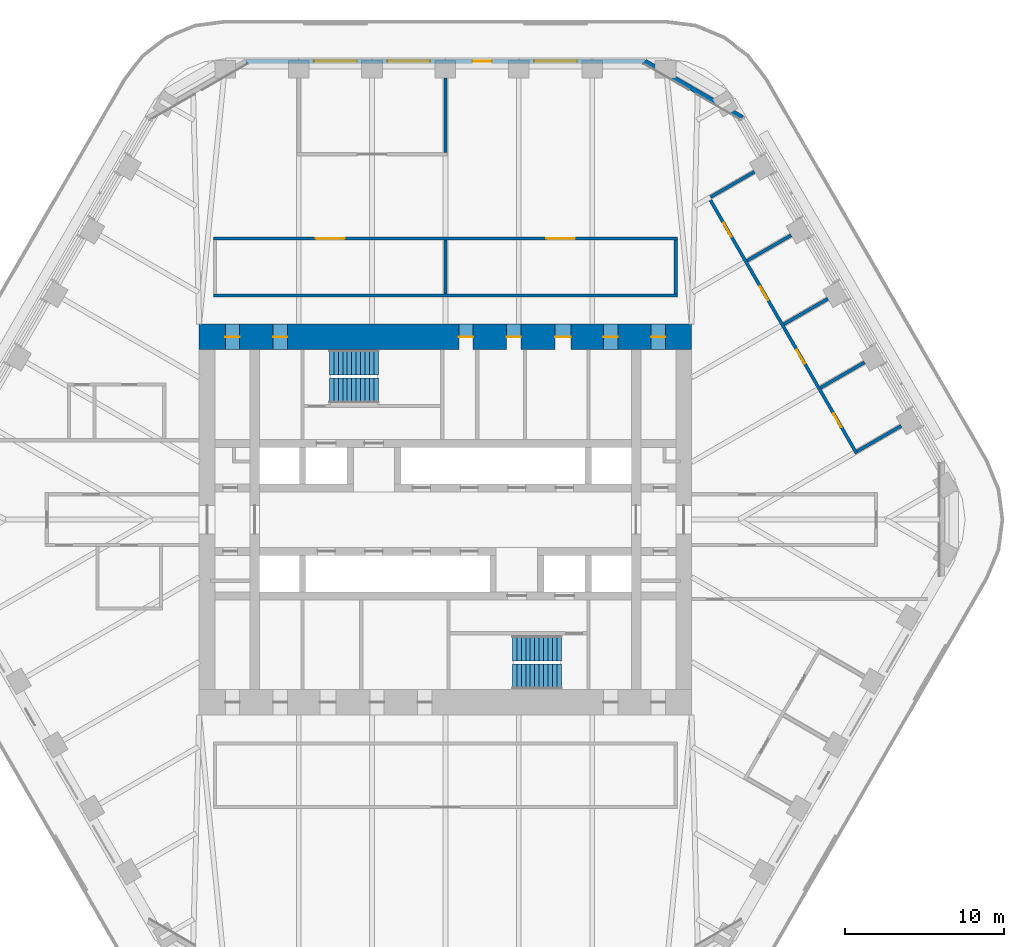
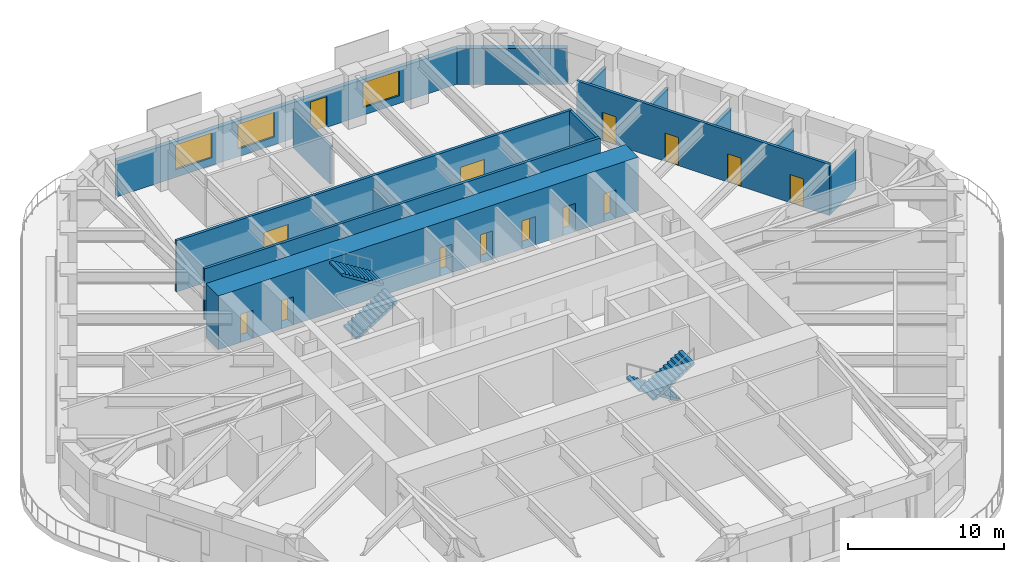
# One storey, part 17 of 20: 14 doors, 14 walls, 4 stair flights, 3 windows, 17 openings, 2 elements without a shape of their own.
"""IFC4 building model written with IfcOpenShell, lengths in metres."""

from ifc_helpers import new_model, si_unit, direction, frame, frame_2d, origin, place, context, subcontext, project, spatial, polyline, rectangle, outline, extrude, material, layer, layer_set, type_object, element, fill, aggregate, save


model = new_model("IFC4")

# Units and contexts
model_context = context("Model", 3, precision=1e-05, world=origin(), true_north=direction((0.0, 1.0)))
body_context = subcontext(model_context, "Body", "Model", "MODEL_VIEW")
ifc_project = project(units=[si_unit("LENGTHUNIT", "METRE"), si_unit("AREAUNIT", "SQUARE_METRE"), si_unit("VOLUMEUNIT", "CUBIC_METRE"), si_unit("PLANEANGLEUNIT", "RADIAN"), si_unit("MASSUNIT", "GRAM", prefix="KILO")], contexts=[model_context])

# Site, building, storey
site_placement = place(None, origin())
site = spatial("IfcSite", under=ifc_project, at=site_placement, CompositionType="ELEMENT")
building_placement = place(site_placement, origin())
building = spatial("IfcBuilding", under=site, at=building_placement, Name="Tarfa Lantern Tower", CompositionType="ELEMENT")
storey_placement = place(building_placement, frame((0.0, 0.0, 236.5)))
storey = spatial("IfcBuildingStorey", under=building, at=storey_placement, Name="L53", CompositionType="ELEMENT", Elevation=236.5)

# Wall
ifc_material_1 = material(Name="Limestone cladding on blockwork", Category="masonry")
ifc_layer_1 = layer(ifc_material_1, 0.300048828125)
ifc_layer_set_1 = layer_set([ifc_layer_1], Name="EW1 STONE-CLAD WALL 300")
wall_type_1 = type_object("IfcWallType", Name="EW1 STONE-CLAD WALL 300", PredefinedType="SOLIDWALL", material=ifc_layer_set_1)
wall_1_placement = place(storey_placement, frame((18.70654296875, 25.299072265625, 0.0), z_axis=(0.0, 0.0, 1.0), x_axis=(-0.866010973379, 0.500024993363, 0.0)))
element("IfcWall", 1, at=wall_1_placement, inside=storey, type_object=wall_type_1, Name="Garden wall NE-N", PredefinedType="SOLIDWALL", context=body_context, shape_type="SweptSolid", body=[
    extrude(rectangle(XDim=7.101806640625, YDim=0.300048828125, at=frame_2d((3.55078125, 0.0))), origin(), (0.0, 0.0, 1.0), 2.800048828125),
])

# Wall, openings, door, windows
wall_2_placement = place(storey_placement, frame((12.556396484375, 28.85009765625, 0.0), z_axis=(0.0, 0.0, 1.0), x_axis=(-1.0, 0.0, 0.0)))
wall_2 = element("IfcWall", 2, at=wall_2_placement, inside=storey, type_object=wall_type_1, Name="Stone wall N", PredefinedType="SOLIDWALL", context=body_context, shape_type="SweptSolid", body=[
    extrude(rectangle(XDim=25.11279296875, YDim=0.300048828125, at=frame_2d((12.556396484375, 0.0))), origin(), (0.0, 0.0, 1.0), 2.800048828125),
])
opening_1_placement = place(wall_2_placement, frame((4.2783203125, 0.0, 0.60009765625)))
opening_1 = element("IfcOpeningElement", 3, at=opening_1_placement, cuts=wall_2, Name="Opening W14", PredefinedType="OPENING", context=body_context, shape_type="SweptSolid", body=[
    extrude(rectangle(XDim=2.699951171875, YDim=1.949951171875, at=frame_2d((1.35009765625, 0.97509765625))), frame((0.0, 0.159912109375, 0.0), z_axis=(0.0, -1.0, 0.0), x_axis=(1.0, 0.0, 0.0)), (0.0, 0.0, 1.0), 0.320068359375),
])
opening_2_placement = place(wall_2_placement, frame((9.64697265625, 0.0, 0.0)))
opening_2 = element("IfcOpeningElement", 4, at=opening_2_placement, cuts=wall_2, Name="Opening D47", PredefinedType="OPENING", context=body_context, shape_type="SweptSolid", body=[
    extrude(rectangle(XDim=1.199951171875, YDim=2.39990234375, at=frame_2d((0.60009765625, 1.199951171875))), frame((0.0, 0.159912109375, 0.0), z_axis=(0.0, -1.0, 0.0), x_axis=(1.0, 0.0, 0.0)), (0.0, 0.0, 1.0), 0.320068359375),
])
opening_3_placement = place(wall_2_placement, frame((13.515869140625, 0.0, 0.60009765625)))
opening_3 = element("IfcOpeningElement", 5, at=opening_3_placement, cuts=wall_2, Name="Opening W14", PredefinedType="OPENING", context=body_context, shape_type="SweptSolid", body=[
    extrude(rectangle(XDim=2.699951171875, YDim=1.949951171875, at=frame_2d((1.35009765625, 0.97509765625))), frame((0.0, 0.159912109375, 0.0), z_axis=(0.0, -1.0, 0.0), x_axis=(1.0, 0.0, 0.0)), (0.0, 0.0, 1.0), 0.320068359375),
])
opening_4_placement = place(wall_2_placement, frame((18.134521484375, 0.0, 0.60009765625)))
opening_4 = element("IfcOpeningElement", 6, at=opening_4_placement, cuts=wall_2, Name="Opening W14", PredefinedType="OPENING", context=body_context, shape_type="SweptSolid", body=[
    extrude(rectangle(XDim=2.699951171875, YDim=1.949951171875, at=frame_2d((1.35009765625, 0.97509765625))), frame((0.0, 0.159912109375, 0.0), z_axis=(0.0, -1.0, 0.0), x_axis=(1.0, 0.0, 0.0)), (0.0, 0.0, 1.0), 0.320068359375),
])
ifc_material_2 = material(Name="Aluminium framed glazed door", Category="aluminium")
door_type_1 = type_object("IfcDoorType", Name="BE3 BALCONY DOOR 1200x2400", OperationType="SINGLE_SWING_RIGHT", PredefinedType="DOOR", material=ifc_material_2)
door_1_placement = place(opening_2_placement, origin())
door_1 = element("IfcDoor", 7, at=door_1_placement, inside=storey, type_object=door_type_1, Name="Balcony door N", OperationType="SINGLE_SWING_LEFT", OverallHeight=2.39990234375, OverallWidth=1.199951171875, PredefinedType="DOOR", context=body_context, shape_type="SweptSolid", body=[
    extrude(rectangle(XDim=1.199951171875, YDim=2.39990234375, at=frame_2d((0.60009765625, 1.199951171875))), frame((0.0, 0.02490234375, 0.0), z_axis=(0.0, -1.0, 0.0), x_axis=(1.0, 0.0, 0.0)), (0.0, 0.0, 1.0), 0.050048828125),
])
fill(opening_2, door_1)
ifc_material_3 = material(Name="Aluminium frame, double glazed", Category="aluminium")
window_type = type_object("IfcWindowType", Name="W14 FULL-HEIGHT GLAZING 2700x1950", PartitioningType="SINGLE_PANEL", PredefinedType="WINDOW", material=ifc_material_3)
window_1_placement = place(opening_1_placement, origin())
window_1 = element("IfcWindow", 8, at=window_1_placement, inside=storey, type_object=window_type, Name="Window N 2", OverallHeight=1.949951171875, OverallWidth=2.699951171875, PartitioningType="SINGLE_PANEL", PredefinedType="WINDOW", context=body_context, shape_type="SweptSolid", body=[
    extrude(rectangle(XDim=2.699951171875, YDim=1.949951171875, at=frame_2d((1.35009765625, 0.97509765625))), frame((0.0, 0.030029296875, 0.0), z_axis=(0.0, -1.0, 0.0), x_axis=(1.0, 0.0, 0.0)), (0.0, 0.0, 1.0), 0.06005859375),
])
fill(opening_1, window_1)
window_2_placement = place(opening_3_placement, origin())
window_2 = element("IfcWindow", 9, at=window_2_placement, inside=storey, type_object=window_type, Name="Window N 4", OverallHeight=1.949951171875, OverallWidth=2.699951171875, PartitioningType="SINGLE_PANEL", PredefinedType="WINDOW", context=body_context, shape_type="SweptSolid", body=[
    extrude(rectangle(XDim=2.699951171875, YDim=1.949951171875, at=frame_2d((1.35009765625, 0.97509765625))), frame((0.0, 0.030029296875, 0.0), z_axis=(0.0, -1.0, 0.0), x_axis=(1.0, 0.0, 0.0)), (0.0, 0.0, 1.0), 0.06005859375),
])
fill(opening_3, window_2)
window_3_placement = place(opening_4_placement, origin())
window_3 = element("IfcWindow", 10, at=window_3_placement, inside=storey, type_object=window_type, Name="Window N 5", OverallHeight=1.949951171875, OverallWidth=2.699951171875, PartitioningType="SINGLE_PANEL", PredefinedType="WINDOW", context=body_context, shape_type="SweptSolid", body=[
    extrude(rectangle(XDim=2.699951171875, YDim=1.949951171875, at=frame_2d((1.35009765625, 0.97509765625))), frame((0.0, 0.030029296875, 0.0), z_axis=(0.0, -1.0, 0.0), x_axis=(1.0, 0.0, 0.0)), (0.0, 0.0, 1.0), 0.06005859375),
])
fill(opening_4, window_3)

# Wall
ifc_material_4 = material(Name="Gypsum board on steel studs", Category="steel")
ifc_layer_2 = layer(ifc_material_4, 0.2099609375)
ifc_layer_set_2 = layer_set([ifc_layer_2], Name="IW2 ACOUSTIC PARTITION 200")
wall_type_2 = type_object("IfcWallType", Name="IW2 ACOUSTIC PARTITION 200", PredefinedType="PARTITIONING", material=ifc_layer_set_2)
wall_3_placement = place(storey_placement, frame((-14.60009765625, 14.10009765625, 0.0), z_axis=(0.0, 0.0, 1.0), x_axis=(1.0, 0.0, 0.0)))
element("IfcWall", 11, at=wall_3_placement, inside=storey, type_object=wall_type_2, Name="Partition", PredefinedType="PARTITIONING", context=body_context, shape_type="SweptSolid", body=[
    extrude(rectangle(XDim=29.2001953125, YDim=0.199951171875, at=frame_2d((14.60009765625, 0.0))), origin(), (0.0, 0.0, 1.0), 4.0),
])

# Wall, openings, doors
wall_4_placement = place(storey_placement, frame((-14.60009765625, 17.699951171875, 0.0), z_axis=(0.0, 0.0, 1.0), x_axis=(1.0, 0.0, 0.0)))
wall_4 = element("IfcWall", 12, at=wall_4_placement, inside=storey, type_object=wall_type_2, Name="Partition", PredefinedType="PARTITIONING", context=body_context, shape_type="SweptSolid", body=[
    extrude(rectangle(XDim=29.2001953125, YDim=0.199951171875, at=frame_2d((14.60009765625, 0.0))), origin(), (0.0, 0.0, 1.0), 4.0),
])
opening_5_placement = place(wall_4_placement, frame((6.449951171875, 0.0, 0.0)))
opening_5 = element("IfcOpeningElement", 13, at=opening_5_placement, cuts=wall_4, Name="Opening D35", PredefinedType="OPENING", context=body_context, shape_type="SweptSolid", body=[
    extrude(rectangle(XDim=1.800048828125, YDim=2.39990234375, at=frame_2d((0.89990234375, 1.199951171875))), frame((0.0, 0.10986328125, 0.0), z_axis=(0.0, -1.0, 0.0), x_axis=(1.0, 0.0, 0.0)), (0.0, 0.0, 1.0), 0.219970703125),
])
opening_6_placement = place(wall_4_placement, frame((20.949951171875, 0.0, 0.0)))
opening_6 = element("IfcOpeningElement", 14, at=opening_6_placement, cuts=wall_4, Name="Opening D36", PredefinedType="OPENING", context=body_context, shape_type="SweptSolid", body=[
    extrude(rectangle(XDim=1.800048828125, YDim=2.39990234375, at=frame_2d((0.89990234375, 1.199951171875))), frame((0.0, 0.10986328125, 0.0), z_axis=(0.0, -1.0, 0.0), x_axis=(1.0, 0.0, 0.0)), (0.0, 0.0, 1.0), 0.219970703125),
])
ifc_material_5 = material(Name="Timber door", Category="wood")
door_type_2 = type_object("IfcDoorType", Name="DR2 ROOM DOOR 1800x2400", OperationType="DOUBLE_DOOR_SINGLE_SWING", PredefinedType="DOOR", material=ifc_material_5)
door_2_placement = place(opening_5_placement, frame((1.800048828125, 0.0, 0.0), z_axis=(0.0, 0.0, 1.0), x_axis=(-1.0, 0.0, 0.0)))
door_2 = element("IfcDoor", 15, at=door_2_placement, inside=storey, type_object=door_type_2, Name="Interview room door", OperationType="DOUBLE_DOOR_SINGLE_SWING", OverallHeight=2.39990234375, OverallWidth=1.800048828125, PredefinedType="DOOR", context=body_context, shape_type="SweptSolid", body=[
    extrude(rectangle(XDim=1.800048828125, YDim=2.39990234375, at=frame_2d((0.89990234375, 1.199951171875))), frame((0.0, 0.02490234375, 0.0), z_axis=(0.0, -1.0, 0.0), x_axis=(1.0, 0.0, 0.0)), (0.0, 0.0, 1.0), 0.050048828125),
])
fill(opening_5, door_2)
door_3_placement = place(opening_6_placement, frame((1.800048828125, 0.0, 0.0), z_axis=(0.0, 0.0, 1.0), x_axis=(-1.0, 0.0, 0.0)))
door_3 = element("IfcDoor", 16, at=door_3_placement, inside=storey, type_object=door_type_2, Name="Interview room door", OperationType="DOUBLE_DOOR_SINGLE_SWING", OverallHeight=2.39990234375, OverallWidth=1.800048828125, PredefinedType="DOOR", context=body_context, shape_type="SweptSolid", body=[
    extrude(rectangle(XDim=1.800048828125, YDim=2.39990234375, at=frame_2d((0.89990234375, 1.199951171875))), frame((0.0, 0.02490234375, 0.0), z_axis=(0.0, -1.0, 0.0), x_axis=(1.0, 0.0, 0.0)), (0.0, 0.0, 1.0), 0.050048828125),
])
fill(opening_6, door_3)

# Walls
wall_5_placement = place(storey_placement, frame((0.0, 14.199951171875, 0.0), z_axis=(0.0, 0.0, 1.0), x_axis=(0.0, 1.0, 0.0)))
element("IfcWall", 17, at=wall_5_placement, inside=storey, type_object=wall_type_2, Name="Partition", PredefinedType="PARTITIONING", context=body_context, shape_type="SweptSolid", body=[
    extrude(rectangle(XDim=3.400146484375, YDim=0.199951171875, at=frame_2d((1.7001953125, 0.0))), origin(), (0.0, 0.0, 1.0), 2.991943359375),
])
wall_6_placement = place(storey_placement, frame((14.5, 14.199951171875, 0.0), z_axis=(0.0, 0.0, 1.0), x_axis=(0.0, 1.0, 0.0)))
element("IfcWall", 18, at=wall_6_placement, inside=storey, type_object=wall_type_2, Name="Partition", PredefinedType="PARTITIONING", context=body_context, shape_type="SweptSolid", body=[
    extrude(rectangle(XDim=3.400146484375, YDim=0.199951171875, at=frame_2d((1.7001953125, 0.0))), origin(), (0.0, 0.0, 1.0), 4.0),
])
wall_7_placement = place(storey_placement, frame((0.0, 23.10009765625, 0.0), z_axis=(0.0, 0.0, 1.0), x_axis=(0.0, 1.0, 0.0)))
element("IfcWall", 19, at=wall_7_placement, inside=storey, type_object=wall_type_2, Name="Partition", PredefinedType="PARTITIONING", context=body_context, shape_type="SweptSolid", body=[
    extrude(rectangle(XDim=4.699951171875, YDim=0.199951171875, at=frame_2d((2.35009765625, 0.0))), origin(), (0.0, 0.0, 1.0), 2.991943359375),
])

# Wall, openings, doors
wall_8_placement = place(storey_placement, frame((25.886474609375, 4.163330078125, 0.0), z_axis=(0.0, 0.0, 1.0), x_axis=(-0.499998569178, 0.866026229868, 0.0)))
wall_8 = element("IfcWall", 20, at=wall_8_placement, inside=storey, type_object=wall_type_2, Name="Partition", PredefinedType="PARTITIONING", context=body_context, shape_type="SweptSolid", body=[
    extrude(rectangle(XDim=18.67529296875, YDim=0.199951171875, at=frame_2d((9.337646484375, 0.0))), origin(), (0.0, 0.0, 1.0), 4.0),
])
opening_7_placement = place(wall_8_placement, frame((1.909423828125, 0.0, 0.0)))
opening_7 = element("IfcOpeningElement", 21, at=opening_7_placement, cuts=wall_8, Name="Opening D28", PredefinedType="OPENING", context=body_context, shape_type="SweptSolid", body=[
    extrude(rectangle(XDim=1.0, YDim=2.199951171875, at=frame_2d((0.5, 1.10009765625))), frame((0.0, 0.10986328125, 0.0), z_axis=(0.0, -1.0, 0.0), x_axis=(1.0, 0.0, 0.0)), (0.0, 0.0, 1.0), 0.219970703125),
])
opening_8_placement = place(wall_8_placement, frame((6.5283203125, 0.0, 0.0)))
opening_8 = element("IfcOpeningElement", 22, at=opening_8_placement, cuts=wall_8, Name="Opening D29", PredefinedType="OPENING", context=body_context, shape_type="SweptSolid", body=[
    extrude(rectangle(XDim=1.0, YDim=2.199951171875, at=frame_2d((0.5, 1.10009765625))), frame((0.0, 0.10986328125, 0.0), z_axis=(0.0, -1.0, 0.0), x_axis=(1.0, 0.0, 0.0)), (0.0, 0.0, 1.0), 0.219970703125),
])
opening_9_placement = place(wall_8_placement, frame((11.14697265625, 0.0, 0.0)))
opening_9 = element("IfcOpeningElement", 23, at=opening_9_placement, cuts=wall_8, Name="Opening D30", PredefinedType="OPENING", context=body_context, shape_type="SweptSolid", body=[
    extrude(rectangle(XDim=1.0, YDim=2.199951171875, at=frame_2d((0.5, 1.10009765625))), frame((0.0, 0.10986328125, 0.0), z_axis=(0.0, -1.0, 0.0), x_axis=(1.0, 0.0, 0.0)), (0.0, 0.0, 1.0), 0.219970703125),
])
opening_10_placement = place(wall_8_placement, frame((15.765869140625, 0.0, 0.0)))
opening_10 = element("IfcOpeningElement", 24, at=opening_10_placement, cuts=wall_8, Name="Opening D31", PredefinedType="OPENING", context=body_context, shape_type="SweptSolid", body=[
    extrude(rectangle(XDim=1.0, YDim=2.199951171875, at=frame_2d((0.5, 1.10009765625))), frame((0.0, 0.10986328125, 0.0), z_axis=(0.0, -1.0, 0.0), x_axis=(1.0, 0.0, 0.0)), (0.0, 0.0, 1.0), 0.219970703125),
])
door_type_3 = type_object("IfcDoorType", Name="DR1 ROOM DOOR 1000x2200", OperationType="SINGLE_SWING_LEFT", PredefinedType="DOOR", material=ifc_material_5)
door_4_placement = place(opening_7_placement, frame((1.0, 0.0, 0.0), z_axis=(0.0, 0.0, 1.0), x_axis=(-1.0, 0.0, 0.0)))
door_4 = element("IfcDoor", 25, at=door_4_placement, inside=storey, type_object=door_type_3, Name="Office door", OperationType="SINGLE_SWING_LEFT", OverallHeight=2.199951171875, OverallWidth=1.0, PredefinedType="DOOR", context=body_context, shape_type="SweptSolid", body=[
    extrude(rectangle(XDim=1.0, YDim=2.199951171875, at=frame_2d((0.5, 1.10009765625))), frame((0.0, 0.02490234375, 0.0), z_axis=(0.0, -1.0, 0.0), x_axis=(1.0, 0.0, 0.0)), (0.0, 0.0, 1.0), 0.050048828125),
])
fill(opening_7, door_4)
door_5_placement = place(opening_8_placement, frame((1.0, 0.0, 0.0), z_axis=(0.0, 0.0, 1.0), x_axis=(-1.0, 0.0, 0.0)))
door_5 = element("IfcDoor", 26, at=door_5_placement, inside=storey, type_object=door_type_3, Name="Office door", OperationType="SINGLE_SWING_LEFT", OverallHeight=2.199951171875, OverallWidth=1.0, PredefinedType="DOOR", context=body_context, shape_type="SweptSolid", body=[
    extrude(rectangle(XDim=1.0, YDim=2.199951171875, at=frame_2d((0.5, 1.10009765625))), frame((0.0, 0.02490234375, 0.0), z_axis=(0.0, -1.0, 0.0), x_axis=(1.0, 0.0, 0.0)), (0.0, 0.0, 1.0), 0.050048828125),
])
fill(opening_8, door_5)
door_6_placement = place(opening_9_placement, frame((1.0, 0.0, 0.0), z_axis=(0.0, 0.0, 1.0), x_axis=(-1.0, 0.0, 0.0)))
door_6 = element("IfcDoor", 27, at=door_6_placement, inside=storey, type_object=door_type_3, Name="Office door", OperationType="SINGLE_SWING_RIGHT", OverallHeight=2.199951171875, OverallWidth=1.0, PredefinedType="DOOR", context=body_context, shape_type="SweptSolid", body=[
    extrude(rectangle(XDim=1.0, YDim=2.199951171875, at=frame_2d((0.5, 1.10009765625))), frame((0.0, 0.02490234375, 0.0), z_axis=(0.0, -1.0, 0.0), x_axis=(1.0, 0.0, 0.0)), (0.0, 0.0, 1.0), 0.050048828125),
])
fill(opening_9, door_6)
door_7_placement = place(opening_10_placement, frame((1.0, 0.0, 0.0), z_axis=(0.0, 0.0, 1.0), x_axis=(-1.0, 0.0, 0.0)))
door_7 = element("IfcDoor", 28, at=door_7_placement, inside=storey, type_object=door_type_3, Name="Office door", OperationType="SINGLE_SWING_RIGHT", OverallHeight=2.199951171875, OverallWidth=1.0, PredefinedType="DOOR", context=body_context, shape_type="SweptSolid", body=[
    extrude(rectangle(XDim=1.0, YDim=2.199951171875, at=frame_2d((0.5, 1.10009765625))), frame((0.0, 0.02490234375, 0.0), z_axis=(0.0, -1.0, 0.0), x_axis=(1.0, 0.0, 0.0)), (0.0, 0.0, 1.0), 0.050048828125),
])
fill(opening_10, door_7)

# Walls
wall_9_placement = place(storey_placement, frame((25.923095703125, 4.300048828125, 0.0), z_axis=(0.0, 0.0, 1.0), x_axis=(0.866042017984, 0.499971222258, 0.0)))
element("IfcWall", 29, at=wall_9_placement, inside=storey, type_object=wall_type_2, Name="Partition", PredefinedType="PARTITIONING", context=body_context, shape_type="SweptSolid", body=[
    extrude(rectangle(XDim=3.199951171875, YDim=0.199951171875, at=frame_2d((1.60009765625, 0.0))), origin(), (0.0, 0.0, 1.0), 3.08154296875),
])
wall_10_placement = place(storey_placement, frame((23.613525390625, 8.300048828125, 0.0), z_axis=(0.0, 0.0, 1.0), x_axis=(0.866061088033, 0.499938187974, 0.0)))
element("IfcWall", 30, at=wall_10_placement, inside=storey, type_object=wall_type_2, Name="Partition", PredefinedType="PARTITIONING", context=body_context, shape_type="SweptSolid", body=[
    extrude(rectangle(XDim=3.2001953125, YDim=0.199951171875, at=frame_2d((1.60009765625, 0.0))), origin(), (0.0, 0.0, 1.0), 3.08154296875),
])
for number, where, z_axis, x_axis, name in (
    (31, (21.30419921875, 12.300048828125, 0.0), (0.0, 0.0, 1.0), (0.866042017984, 0.499971222258, 0.0), "Partition"),
    (32, (18.994873046875, 16.300048828125, 0.0), (0.0, 0.0, 1.0), (0.866042017984, 0.499971222258, 0.0), "Partition"),
):
    element("IfcWall", number, at=place(storey_placement, frame(where, z_axis=z_axis, x_axis=x_axis)), inside=storey, type_object=wall_type_2, Name=name, PredefinedType="PARTITIONING", context=body_context, shape_type="SweptSolid", body=[
        extrude(rectangle(XDim=3.199951171875, YDim=0.199951171875, at=frame_2d((1.60009765625, 0.0))), origin(), (0.0, 0.0, 1.0), 3.08154296875),
    ])
wall_11_placement = place(storey_placement, frame((16.685302734375, 20.300048828125, 0.0), z_axis=(0.0, 0.0, 1.0), x_axis=(0.866061088033, 0.499938187974, 0.0)))
element("IfcWall", 33, at=wall_11_placement, inside=storey, type_object=wall_type_2, Name="Partition", PredefinedType="PARTITIONING", context=body_context, shape_type="SweptSolid", body=[
    extrude(rectangle(XDim=3.2001953125, YDim=0.199951171875, at=frame_2d((1.60009765625, 0.0))), origin(), (0.0, 0.0, 1.0), 3.08154296875),
])

# Wall, openings, doors
ifc_material_6 = material(Name="Concrete C80/95", Category="concrete")
ifc_layer_3 = layer(ifc_material_6, 1.60009765625)
ifc_layer_set_3 = layer_set([ifc_layer_3], Name="SW7 CORE WALL 1600")
wall_type_3 = type_object("IfcWallType", Name="SW7 CORE WALL 1600", PredefinedType="SHEAR", material=ifc_layer_set_3)
wall_12_placement = place(storey_placement, frame((-15.5, 11.5, 0.0), z_axis=(0.0, 0.0, 1.0), x_axis=(1.0, 0.0, 0.0)))
wall_12 = element("IfcWall", 34, at=wall_12_placement, inside=storey, type_object=wall_type_3, Name="Core wall N", PredefinedType="SHEAR", context=body_context, shape_type="SweptSolid", body=[
    extrude(rectangle(XDim=31.0, YDim=1.60009765625, at=frame_2d((15.5, 0.0))), origin(), (0.0, 0.0, 1.0), 4.199951171875),
])
opening_11_placement = place(wall_12_placement, frame((16.35009765625, 0.0, 0.0)))
opening_11 = element("IfcOpeningElement", 35, at=opening_11_placement, cuts=wall_12, Name="Opening D17", PredefinedType="OPENING", context=body_context, shape_type="SweptSolid", body=[
    extrude(rectangle(XDim=0.89990234375, YDim=2.199951171875, at=frame_2d((0.449951171875, 1.10009765625))), frame((0.0, 0.81005859375, 0.0), z_axis=(0.0, -1.0, 0.0), x_axis=(1.0, 0.0, 0.0)), (0.0, 0.0, 1.0), 1.6201171875),
])
opening_12_placement = place(wall_12_placement, frame((19.35009765625, 0.0, 0.0)))
opening_12 = element("IfcOpeningElement", 36, at=opening_12_placement, cuts=wall_12, Name="Opening D19", PredefinedType="OPENING", context=body_context, shape_type="SweptSolid", body=[
    extrude(rectangle(XDim=0.89990234375, YDim=2.199951171875, at=frame_2d((0.449951171875, 1.10009765625))), frame((0.0, 0.81005859375, 0.0), z_axis=(0.0, -1.0, 0.0), x_axis=(1.0, 0.0, 0.0)), (0.0, 0.0, 1.0), 1.6201171875),
])
opening_13_placement = place(wall_12_placement, frame((22.39990234375, 0.0, 0.0)))
opening_13 = element("IfcOpeningElement", 37, at=opening_13_placement, cuts=wall_12, Name="Opening D21", PredefinedType="OPENING", context=body_context, shape_type="SweptSolid", body=[
    extrude(rectangle(XDim=1.0, YDim=2.199951171875, at=frame_2d((0.5, 1.10009765625))), frame((0.0, 0.81005859375, 0.0), z_axis=(0.0, -1.0, 0.0), x_axis=(1.0, 0.0, 0.0)), (0.0, 0.0, 1.0), 1.6201171875),
])
opening_14_placement = place(wall_12_placement, frame((1.64990234375, 0.0, 0.0)))
opening_14 = element("IfcOpeningElement", 38, at=opening_14_placement, cuts=wall_12, Name="Opening D07", PredefinedType="OPENING", context=body_context, shape_type="SweptSolid", body=[
    extrude(rectangle(XDim=0.89990234375, YDim=2.199951171875, at=frame_2d((0.449951171875, 1.10009765625))), frame((0.0, 0.81005859375, 0.0), z_axis=(0.0, -1.0, 0.0), x_axis=(1.0, 0.0, 0.0)), (0.0, 0.0, 1.0), 1.6201171875),
])
opening_15_placement = place(wall_12_placement, frame((4.64990234375, 0.0, 0.0)))
opening_15 = element("IfcOpeningElement", 39, at=opening_15_placement, cuts=wall_12, Name="Opening D05", PredefinedType="OPENING", context=body_context, shape_type="SweptSolid", body=[
    extrude(rectangle(XDim=0.89990234375, YDim=2.199951171875, at=frame_2d((0.449951171875, 1.10009765625))), frame((0.0, 0.81005859375, 0.0), z_axis=(0.0, -1.0, 0.0), x_axis=(1.0, 0.0, 0.0)), (0.0, 0.0, 1.0), 1.6201171875),
])
opening_16_placement = place(wall_12_placement, frame((25.449951171875, 0.0, 0.0)))
opening_16 = element("IfcOpeningElement", 40, at=opening_16_placement, cuts=wall_12, Name="Opening D03", PredefinedType="OPENING", context=body_context, shape_type="SweptSolid", body=[
    extrude(rectangle(XDim=0.89990234375, YDim=2.199951171875, at=frame_2d((0.449951171875, 1.10009765625))), frame((0.0, 0.81005859375, 0.0), z_axis=(0.0, -1.0, 0.0), x_axis=(1.0, 0.0, 0.0)), (0.0, 0.0, 1.0), 1.6201171875),
])
opening_17_placement = place(wall_12_placement, frame((28.449951171875, 0.0, 0.0)))
opening_17 = element("IfcOpeningElement", 41, at=opening_17_placement, cuts=wall_12, Name="Opening D01", PredefinedType="OPENING", context=body_context, shape_type="SweptSolid", body=[
    extrude(rectangle(XDim=0.89990234375, YDim=2.199951171875, at=frame_2d((0.449951171875, 1.10009765625))), frame((0.0, 0.81005859375, 0.0), z_axis=(0.0, -1.0, 0.0), x_axis=(1.0, 0.0, 0.0)), (0.0, 0.0, 1.0), 1.6201171875),
])
ifc_material_7 = material(Name="Steel fire door", Category="steel")
door_type_4 = type_object("IfcDoorType", Name="DF3 CORE ROOM DOOR 900x2200", OperationType="SINGLE_SWING_LEFT", PredefinedType="DOOR", material=ifc_material_7)
door_8_placement = place(opening_11_placement, frame((0.89990234375, 0.0, 0.0), z_axis=(0.0, 0.0, 1.0), x_axis=(-1.0, 0.0, 0.0)))
door_8 = element("IfcDoor", 42, at=door_8_placement, inside=storey, type_object=door_type_4, Name="Core door", OperationType="SINGLE_SWING_RIGHT", OverallHeight=2.199951171875, OverallWidth=0.89990234375, PredefinedType="DOOR", context=body_context, shape_type="SweptSolid", body=[
    extrude(rectangle(XDim=0.89990234375, YDim=2.199951171875, at=frame_2d((0.449951171875, 1.10009765625))), frame((0.0, 0.02490234375, 0.0), z_axis=(0.0, -1.0, 0.0), x_axis=(1.0, 0.0, 0.0)), (0.0, 0.0, 1.0), 0.050048828125),
])
fill(opening_11, door_8)
door_9_placement = place(opening_12_placement, frame((0.89990234375, 0.0, 0.0), z_axis=(0.0, 0.0, 1.0), x_axis=(-1.0, 0.0, 0.0)))
door_9 = element("IfcDoor", 43, at=door_9_placement, inside=storey, type_object=door_type_4, Name="Core door", OperationType="SINGLE_SWING_RIGHT", OverallHeight=2.199951171875, OverallWidth=0.89990234375, PredefinedType="DOOR", context=body_context, shape_type="SweptSolid", body=[
    extrude(rectangle(XDim=0.89990234375, YDim=2.199951171875, at=frame_2d((0.449951171875, 1.10009765625))), frame((0.0, 0.02490234375, 0.0), z_axis=(0.0, -1.0, 0.0), x_axis=(1.0, 0.0, 0.0)), (0.0, 0.0, 1.0), 0.050048828125),
])
fill(opening_12, door_9)
door_type_5 = type_object("IfcDoorType", Name="DF4 CORE ROOM DOOR 1000x2200", OperationType="SINGLE_SWING_LEFT", PredefinedType="DOOR", material=ifc_material_7)
door_10_placement = place(opening_13_placement, frame((1.0, 0.0, 0.0), z_axis=(0.0, 0.0, 1.0), x_axis=(-1.0, 0.0, 0.0)))
door_10 = element("IfcDoor", 44, at=door_10_placement, inside=storey, type_object=door_type_5, Name="Core door", OperationType="SINGLE_SWING_RIGHT", OverallHeight=2.199951171875, OverallWidth=1.0, PredefinedType="DOOR", context=body_context, shape_type="SweptSolid", body=[
    extrude(rectangle(XDim=1.0, YDim=2.199951171875, at=frame_2d((0.5, 1.10009765625))), frame((0.0, 0.02490234375, 0.0), z_axis=(0.0, -1.0, 0.0), x_axis=(1.0, 0.0, 0.0)), (0.0, 0.0, 1.0), 0.050048828125),
])
fill(opening_13, door_10)
door_type_6 = type_object("IfcDoorType", Name="DF5 RISER DOOR 900x2200", OperationType="SINGLE_SWING_LEFT", PredefinedType="DOOR", material=ifc_material_7)
door_11_placement = place(opening_14_placement, frame((0.89990234375, 0.0, 0.0), z_axis=(0.0, 0.0, 1.0), x_axis=(-1.0, 0.0, 0.0)))
door_11 = element("IfcDoor", 45, at=door_11_placement, inside=storey, type_object=door_type_6, Name="Riser door", OperationType="SINGLE_SWING_LEFT", OverallHeight=2.199951171875, OverallWidth=0.89990234375, PredefinedType="DOOR", context=body_context, shape_type="SweptSolid", body=[
    extrude(rectangle(XDim=0.89990234375, YDim=2.199951171875, at=frame_2d((0.449951171875, 1.10009765625))), frame((0.0, 0.02490234375, 0.0), z_axis=(0.0, -1.0, 0.0), x_axis=(1.0, 0.0, 0.0)), (0.0, 0.0, 1.0), 0.050048828125),
])
fill(opening_14, door_11)
door_12_placement = place(opening_15_placement, frame((0.89990234375, 0.0, 0.0), z_axis=(0.0, 0.0, 1.0), x_axis=(-1.0, 0.0, 0.0)))
door_12 = element("IfcDoor", 46, at=door_12_placement, inside=storey, type_object=door_type_6, Name="Riser door", OperationType="SINGLE_SWING_LEFT", OverallHeight=2.199951171875, OverallWidth=0.89990234375, PredefinedType="DOOR", context=body_context, shape_type="SweptSolid", body=[
    extrude(rectangle(XDim=0.89990234375, YDim=2.199951171875, at=frame_2d((0.449951171875, 1.10009765625))), frame((0.0, 0.02490234375, 0.0), z_axis=(0.0, -1.0, 0.0), x_axis=(1.0, 0.0, 0.0)), (0.0, 0.0, 1.0), 0.050048828125),
])
fill(opening_15, door_12)
door_13_placement = place(opening_16_placement, frame((0.89990234375, 0.0, 0.0), z_axis=(0.0, 0.0, 1.0), x_axis=(-1.0, 0.0, 0.0)))
door_13 = element("IfcDoor", 47, at=door_13_placement, inside=storey, type_object=door_type_6, Name="Riser door", OperationType="SINGLE_SWING_RIGHT", OverallHeight=2.199951171875, OverallWidth=0.89990234375, PredefinedType="DOOR", context=body_context, shape_type="SweptSolid", body=[
    extrude(rectangle(XDim=0.89990234375, YDim=2.199951171875, at=frame_2d((0.449951171875, 1.10009765625))), frame((0.0, 0.02490234375, 0.0), z_axis=(0.0, -1.0, 0.0), x_axis=(1.0, 0.0, 0.0)), (0.0, 0.0, 1.0), 0.050048828125),
])
fill(opening_16, door_13)
door_14_placement = place(opening_17_placement, frame((0.89990234375, 0.0, 0.0), z_axis=(0.0, 0.0, 1.0), x_axis=(-1.0, 0.0, 0.0)))
door_14 = element("IfcDoor", 48, at=door_14_placement, inside=storey, type_object=door_type_6, Name="Riser door", OperationType="SINGLE_SWING_RIGHT", OverallHeight=2.199951171875, OverallWidth=0.89990234375, PredefinedType="DOOR", context=body_context, shape_type="SweptSolid", body=[
    extrude(rectangle(XDim=0.89990234375, YDim=2.199951171875, at=frame_2d((0.449951171875, 1.10009765625))), frame((0.0, 0.02490234375, 0.0), z_axis=(0.0, -1.0, 0.0), x_axis=(1.0, 0.0, 0.0)), (0.0, 0.0, 1.0), 0.050048828125),
])
fill(opening_17, door_14)

# Stair, stair flights
ifc_material_8 = material(Name="Concrete C40/50", Category="concrete")
stair_type = type_object("IfcStairType", Name="ST-T10 HALF-TURN STAIR 4200 RISE", PredefinedType="HALF_TURN_STAIR", material=ifc_material_8)
stair_1_placement = place(storey_placement, origin())
stair_1 = element("IfcStair", 49, at=stair_1_placement, inside=storey, type_object=stair_type, Name="Stair ST1", PredefinedType="HALF_TURN_STAIR")
stair_flight_type = type_object("IfcStairFlightType", Name="SF1 STAIR FLIGHT", PredefinedType="STRAIGHT", material=ifc_material_8)
stair_flight_1_placement = place(storey_placement, frame((-7.300048828125, 8.10009765625, 0.0), z_axis=(0.0, 0.0, 1.0), x_axis=(1.0, 0.0, 0.0)))
stair_flight_1 = element("IfcStairFlight", 50, at=stair_flight_1_placement, type_object=stair_flight_type, Name="ST1 flight 1", NumberOfRisers=12, NumberOfTreads=11, PredefinedType="STRAIGHT", RiserHeight=0.175, TreadLength=0.28, context=body_context, shape_type="SweptSolid", body=[
    extrude(outline(polyline([(0.0, 0.0), (0.0, 0.175048828125), (0.280029296875, 0.175048828125), (0.280029296875, 0.35009765625), (0.56005859375, 0.35009765625), (0.56005859375, 0.52490234375), (0.840087890625, 0.52490234375), (0.840087890625, 0.699951171875), (1.1201171875, 0.699951171875), (1.1201171875, 0.875), (1.39990234375, 0.875), (1.39990234375, 1.050048828125), (1.679931640625, 1.050048828125), (1.679931640625, 1.22509765625), (1.9599609375, 1.22509765625), (1.9599609375, 1.39990234375), (2.239990234375, 1.39990234375), (2.239990234375, 1.574951171875), (2.52001953125, 1.574951171875), (2.52001953125, 1.75), (2.800048828125, 1.75), (2.800048828125, 1.925048828125), (3.080078125, 1.925048828125), (3.080078125, 2.10009765625), (3.080078125, 1.748291015625), (0.28271484375, 0.0), (0.0, 0.0)])), frame((0.0, 0.800048828125, 0.0), z_axis=(0.0, -1.0, 0.0), x_axis=(1.0, 0.0, 0.0)), (0.0, 0.0, 1.0), 1.60009765625),
])
stair_flight_2_placement = place(storey_placement, frame((-4.219970703125, 9.89990234375, 2.10009765625), z_axis=(0.0, 0.0, 1.0), x_axis=(-1.0, 0.0, 0.0)))
stair_flight_2 = element("IfcStairFlight", 51, at=stair_flight_2_placement, type_object=stair_flight_type, Name="ST1 flight 2", NumberOfRisers=12, NumberOfTreads=11, PredefinedType="STRAIGHT", RiserHeight=0.175, TreadLength=0.28, context=body_context, shape_type="SweptSolid", body=[
    extrude(outline(polyline([(0.0, 0.0), (0.0, 0.175048828125), (0.280029296875, 0.175048828125), (0.280029296875, 0.35009765625), (0.56005859375, 0.35009765625), (0.56005859375, 0.52490234375), (0.840087890625, 0.52490234375), (0.840087890625, 0.699951171875), (1.1201171875, 0.699951171875), (1.1201171875, 0.875), (1.39990234375, 0.875), (1.39990234375, 1.050048828125), (1.679931640625, 1.050048828125), (1.679931640625, 1.22509765625), (1.9599609375, 1.22509765625), (1.9599609375, 1.39990234375), (2.239990234375, 1.39990234375), (2.239990234375, 1.574951171875), (2.52001953125, 1.574951171875), (2.52001953125, 1.75), (2.800048828125, 1.75), (2.800048828125, 1.925048828125), (3.080078125, 1.925048828125), (3.080078125, 2.10009765625), (3.080078125, 1.748291015625), (0.28271484375, 0.0), (0.0, 0.0)])), frame((0.0, 0.800048828125, 0.0), z_axis=(0.0, -1.0, 0.0), x_axis=(1.0, 0.0, 0.0)), (0.0, 0.0, 1.0), 1.60009765625),
])
aggregate(stair_1, [stair_flight_1, stair_flight_2])

stair_2_placement = place(storey_placement, origin())
stair_2 = element("IfcStair", 52, at=stair_2_placement, inside=storey, type_object=stair_type, Name="Stair ST2", PredefinedType="HALF_TURN_STAIR")
stair_flight_3_placement = place(storey_placement, frame((7.300048828125, -8.10009765625, 0.0), z_axis=(0.0, 0.0, 1.0), x_axis=(-1.0, 0.0, 0.0)))
stair_flight_3 = element("IfcStairFlight", 53, at=stair_flight_3_placement, type_object=stair_flight_type, Name="ST2 flight 1", NumberOfRisers=12, NumberOfTreads=11, PredefinedType="STRAIGHT", RiserHeight=0.175, TreadLength=0.28, context=body_context, shape_type="SweptSolid", body=[
    extrude(outline(polyline([(0.0, 0.0), (0.0, 0.175048828125), (0.280029296875, 0.175048828125), (0.280029296875, 0.35009765625), (0.56005859375, 0.35009765625), (0.56005859375, 0.52490234375), (0.840087890625, 0.52490234375), (0.840087890625, 0.699951171875), (1.1201171875, 0.699951171875), (1.1201171875, 0.875), (1.39990234375, 0.875), (1.39990234375, 1.050048828125), (1.679931640625, 1.050048828125), (1.679931640625, 1.22509765625), (1.9599609375, 1.22509765625), (1.9599609375, 1.39990234375), (2.239990234375, 1.39990234375), (2.239990234375, 1.574951171875), (2.52001953125, 1.574951171875), (2.52001953125, 1.75), (2.800048828125, 1.75), (2.800048828125, 1.925048828125), (3.080078125, 1.925048828125), (3.080078125, 2.10009765625), (3.080078125, 1.748291015625), (0.28271484375, 0.0), (0.0, 0.0)])), frame((0.0, 0.800048828125, 0.0), z_axis=(0.0, -1.0, 0.0), x_axis=(1.0, 0.0, 0.0)), (0.0, 0.0, 1.0), 1.60009765625),
])
stair_flight_4_placement = place(storey_placement, frame((4.219970703125, -9.89990234375, 2.10009765625), z_axis=(0.0, 0.0, 1.0), x_axis=(1.0, 0.0, 0.0)))
stair_flight_4 = element("IfcStairFlight", 54, at=stair_flight_4_placement, type_object=stair_flight_type, Name="ST2 flight 2", NumberOfRisers=12, NumberOfTreads=11, PredefinedType="STRAIGHT", RiserHeight=0.175, TreadLength=0.28, context=body_context, shape_type="SweptSolid", body=[
    extrude(outline(polyline([(0.0, 0.0), (0.0, 0.175048828125), (0.280029296875, 0.175048828125), (0.280029296875, 0.35009765625), (0.56005859375, 0.35009765625), (0.56005859375, 0.52490234375), (0.840087890625, 0.52490234375), (0.840087890625, 0.699951171875), (1.1201171875, 0.699951171875), (1.1201171875, 0.875), (1.39990234375, 0.875), (1.39990234375, 1.050048828125), (1.679931640625, 1.050048828125), (1.679931640625, 1.22509765625), (1.9599609375, 1.22509765625), (1.9599609375, 1.39990234375), (2.239990234375, 1.39990234375), (2.239990234375, 1.574951171875), (2.52001953125, 1.574951171875), (2.52001953125, 1.75), (2.800048828125, 1.75), (2.800048828125, 1.925048828125), (3.080078125, 1.925048828125), (3.080078125, 2.10009765625), (3.080078125, 1.748291015625), (0.28271484375, 0.0), (0.0, 0.0)])), frame((0.0, 0.800048828125, 0.0), z_axis=(0.0, -1.0, 0.0), x_axis=(1.0, 0.0, 0.0)), (0.0, 0.0, 1.0), 1.60009765625),
])
aggregate(stair_2, [stair_flight_3, stair_flight_4])

save(model, "model.ifc")
